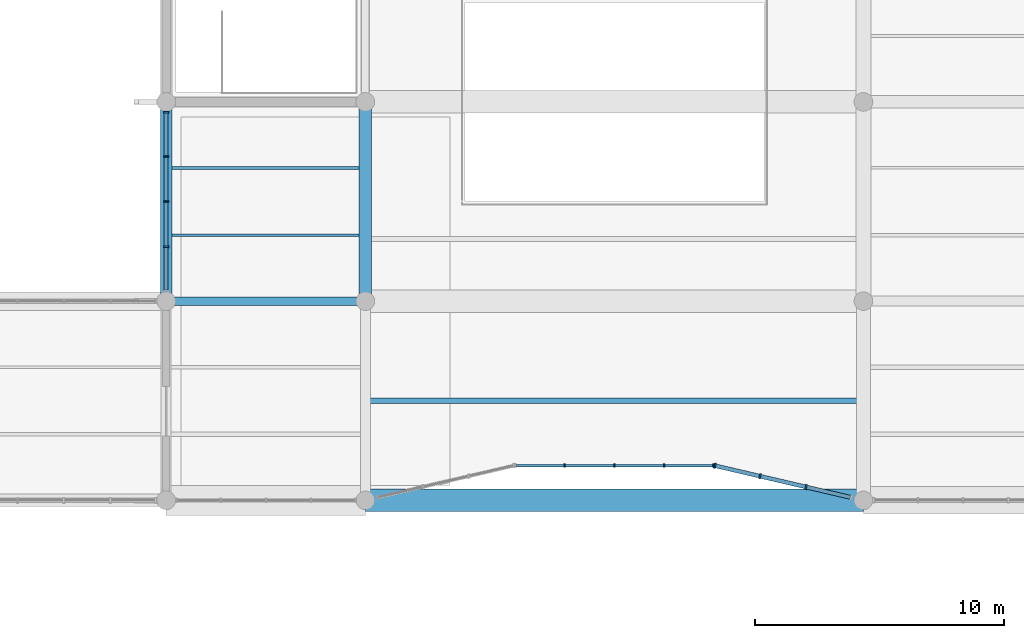
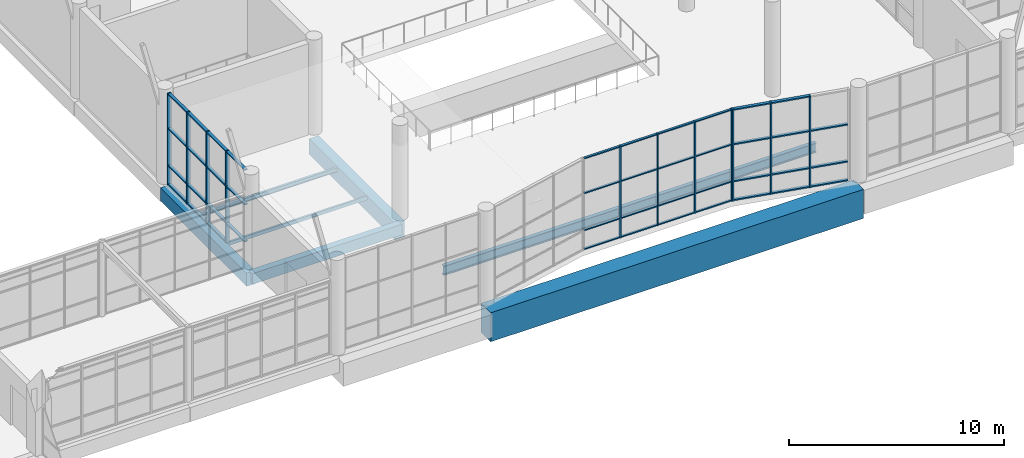
# One storey, part 24 of 122: 53 members, 7 beams, 3 elements without a shape of their own.
"""IFC4 building model written with IfcOpenShell, lengths in metres."""

from ifc_helpers import new_model, si_unit, direction, frame, origin, origin_2d, place, context, subcontext, project, spatial, rectangle, hollow_rectangle, i_section, extrude, material, material_profile, profile_set, type_object, element, aggregate, save


model = new_model("IFC4")

# Units and contexts
model_context = context("Model", 3, precision=1e-05, world=origin(), true_north=direction((0.0, 1.0)))
body_context = subcontext(model_context, "Body", "Model", "MODEL_VIEW")
ifc_project = project(units=[si_unit("LENGTHUNIT", "METRE"), si_unit("AREAUNIT", "SQUARE_METRE"), si_unit("VOLUMEUNIT", "CUBIC_METRE"), si_unit("PLANEANGLEUNIT", "RADIAN"), si_unit("MASSUNIT", "GRAM", prefix="KILO")], contexts=[model_context])

# Site, building, storey
site_placement = place(None, origin())
site = spatial("IfcSite", under=ifc_project, at=site_placement, CompositionType="ELEMENT")
building_placement = place(site_placement, origin())
building = spatial("IfcBuilding", under=site, at=building_placement, Name="Tenunan Teduh Sports Hall", CompositionType="ELEMENT")
storey_placement = place(building_placement, frame((0.0, 0.0, 5.39990234375)))
storey = spatial("IfcBuildingStorey", under=building, at=storey_placement, Name="L01", CompositionType="ELEMENT", Elevation=5.39990234375)

# Beams
ifc_material_1 = material(Name="Concrete C40/50", Category="concrete")
ifc_material_profile_1 = material_profile(ifc_material_1, rectangle(XDim=0.35009765625, YDim=0.60009765625, at=origin_2d()), Name="RCB 350x600")
ifc_profile_set_1 = profile_set([ifc_material_profile_1], Name="Concrete C40/50")
beam_type_1 = type_object("IfcBeamType", Name="BM-RC-350x600", PredefinedType="BEAM", material=ifc_profile_set_1)
beam_1_placement = place(storey_placement, frame((70.0, 46.0, -0.659912109375), z_axis=(1.0, 0.0, 0.0), x_axis=(0.0, 1.0, 0.0)))
element("IfcBeam", 1, at=beam_1_placement, inside=storey, type_object=beam_type_1, Name="BM-B-04-L01-1078", PredefinedType="BEAM", context=body_context, shape_type="SweptSolid", body=[
    extrude(rectangle(XDim=0.35009765625, YDim=0.60009765625, at=origin_2d()), origin(), (0.0, 0.0, 1.0), 8.0),
])
ifc_material_2 = material(Name="Concrete C40/50", Category="concrete")
ifc_material_profile_2 = material_profile(ifc_material_2, rectangle(XDim=0.449951171875, YDim=0.75, at=origin_2d()), Name="RCB 450x750")
ifc_profile_set_2 = profile_set([ifc_material_profile_2], Name="Concrete C40/50")
beam_type_2 = type_object("IfcBeamType", Name="BM-RC-450x750", PredefinedType="BEAM", material=ifc_profile_set_2)
beam_2_placement = place(storey_placement, frame((70.0, 46.0, -0.73486328125), z_axis=(0.0, 1.0, 0.0), x_axis=(-1.0, 0.0, 0.0)))
element("IfcBeam", 2, at=beam_2_placement, inside=storey, type_object=beam_type_2, Name="BM-B-11-L01-1232", PredefinedType="BEAM", context=body_context, shape_type="SweptSolid", body=[
    extrude(rectangle(XDim=0.449951171875, YDim=0.75, at=origin_2d()), origin(), (0.0, 0.0, 1.0), 8.0),
])
ifc_material_3 = material(Name="Concrete C40/50", Category="concrete")
ifc_material_profile_3 = material_profile(ifc_material_3, rectangle(XDim=0.5, YDim=0.89990234375, at=origin_2d()), Name="RCB 500x900")
ifc_profile_set_3 = profile_set([ifc_material_profile_3], Name="Concrete C40/50")
beam_type_3 = type_object("IfcBeamType", Name="BM-RC-500x900", PredefinedType="BEAM", material=ifc_profile_set_3)
beam_3_placement = place(storey_placement, frame((78.0, 46.0, -0.809814453125), z_axis=(0.0, 1.0, 0.0), x_axis=(-1.0, 0.0, 0.0)))
element("IfcBeam", 3, at=beam_3_placement, inside=storey, type_object=beam_type_3, Name="BM-B-15-L01-1240", PredefinedType="BEAM", context=body_context, shape_type="SweptSolid", body=[
    extrude(rectangle(XDim=0.5, YDim=0.89990234375, at=origin_2d()), origin(), (0.0, 0.0, 1.0), 8.0),
])

# Curtain wall, members
ifc_material_4 = material(Name="Anodised aluminium", Category="aluminium")
curtain_wall_type_1 = type_object("IfcCurtainWallType", Name="CW-FOYER-1", PredefinedType="NOTDEFINED", material=ifc_material_4)
curtain_wall_1_placement = place(storey_placement, origin())
curtain_wall_1 = element("IfcCurtainWall", 4, at=curtain_wall_1_placement, inside=storey, type_object=curtain_wall_type_1, Name="CW-CWM-150-L01-167", PredefinedType="NOTDEFINED")
ifc_material_5 = material(Name="Anodised aluminium", Category="aluminium")
ifc_material_profile_4 = material_profile(ifc_material_5, rectangle(XDim=0.06005859375, YDim=0.14990234375, at=origin_2d()), Name="CWM 60x150")
ifc_profile_set_4 = profile_set([ifc_material_profile_4], Name="Anodised aluminium")
member_type_1 = type_object("IfcMemberType", Name="CWM-150", PredefinedType="MULLION", material=ifc_profile_set_4)
member_1_placement = place(storey_placement, frame((86.0, 39.39990234375, 0.0), z_axis=(0.0, 0.0, 1.0), x_axis=(1.0, 0.0, 0.0)))
member_1 = element("IfcMember", 5, at=member_1_placement, type_object=member_type_1, Name="CW-04 mullion 2", PredefinedType="MULLION", context=body_context, shape_type="SweptSolid", body=[
    extrude(rectangle(XDim=0.06005859375, YDim=0.14990234375, at=origin_2d()), origin(), (0.0, 0.0, 1.0), 5.2001953125),
])
member_2_placement = place(storey_placement, frame((88.0, 39.39990234375, 0.0), z_axis=(0.0, 0.0, 1.0), x_axis=(1.0, 0.0, 0.0)))
member_2 = element("IfcMember", 6, at=member_2_placement, type_object=member_type_1, Name="CW-04 mullion 3", PredefinedType="MULLION", context=body_context, shape_type="SweptSolid", body=[
    extrude(rectangle(XDim=0.06005859375, YDim=0.14990234375, at=origin_2d()), origin(), (0.0, 0.0, 1.0), 5.2001953125),
])
member_3_placement = place(storey_placement, frame((90.0, 39.39990234375, 0.0), z_axis=(0.0, 0.0, 1.0), x_axis=(1.0, 0.0, 0.0)))
member_3 = element("IfcMember", 7, at=member_3_placement, type_object=member_type_1, Name="CW-04 mullion 4", PredefinedType="MULLION", context=body_context, shape_type="SweptSolid", body=[
    extrude(rectangle(XDim=0.06005859375, YDim=0.14990234375, at=origin_2d()), origin(), (0.0, 0.0, 1.0), 5.2001953125),
])
member_4_placement = place(storey_placement, frame((91.969970703125, 39.39990234375, 0.0), z_axis=(0.0, 0.0, 1.0), x_axis=(1.0, 0.0, 0.0)))
member_4 = element("IfcMember", 8, at=member_4_placement, type_object=member_type_1, Name="CW-04 mullion 5", PredefinedType="MULLION", context=body_context, shape_type="SweptSolid", body=[
    extrude(rectangle(XDim=0.06005859375, YDim=0.14990234375, at=origin_2d()), origin(), (0.0, 0.0, 1.0), 5.2001953125),
])

curtain_wall_2_placement = place(storey_placement, origin())
curtain_wall_2 = element("IfcCurtainWall", 9, at=curtain_wall_2_placement, inside=storey, type_object=curtain_wall_type_1, Name="CW-CWM-200-L01-168", PredefinedType="NOTDEFINED")
ifc_material_6 = material(Name="Anodised aluminium", Category="aluminium")
ifc_material_profile_5 = material_profile(ifc_material_6, rectangle(XDim=0.070068359375, YDim=0.199951171875, at=origin_2d()), Name="CWM 70x200")
ifc_profile_set_5 = profile_set([ifc_material_profile_5], Name="Anodised aluminium")
member_type_2 = type_object("IfcMemberType", Name="CWM-200", PredefinedType="MULLION", material=ifc_profile_set_5)
member_5_placement = place(storey_placement, frame((92.0341796875, 39.39208984375, 0.0), z_axis=(0.0, 0.0, 1.0), x_axis=(-0.973842091381, 0.227225837122, 0.0)))
member_5 = element("IfcMember", 10, at=member_5_placement, type_object=member_type_2, Name="CW-04 mullion 1", PredefinedType="MULLION", context=body_context, shape_type="SweptSolid", body=[
    extrude(rectangle(XDim=0.070068359375, YDim=0.199951171875, at=origin_2d()), origin(), (0.0, 0.0, 1.0), 5.2001953125),
])
member_6_placement = place(storey_placement, frame((93.846435546875, 38.96923828125, 0.0), z_axis=(0.0, 0.0, 1.0), x_axis=(-0.973842091381, 0.227225837122, 0.0)))
member_6 = element("IfcMember", 11, at=member_6_placement, type_object=member_type_2, Name="CW-04 mullion 2", PredefinedType="MULLION", context=body_context, shape_type="SweptSolid", body=[
    extrude(rectangle(XDim=0.070068359375, YDim=0.199951171875, at=origin_2d()), origin(), (0.0, 0.0, 1.0), 5.2001953125),
])
member_7_placement = place(storey_placement, frame((95.69287109375, 38.538330078125, 0.0), z_axis=(0.0, 0.0, 1.0), x_axis=(-0.973842091381, 0.227225837122, 0.0)))
member_7 = element("IfcMember", 12, at=member_7_placement, type_object=member_type_2, Name="CW-04 mullion 3", PredefinedType="MULLION", context=body_context, shape_type="SweptSolid", body=[
    extrude(rectangle(XDim=0.070068359375, YDim=0.199951171875, at=origin_2d()), origin(), (0.0, 0.0, 1.0), 5.2001953125),
])

ifc_material_7 = material(Name="Anodised aluminium", Category="aluminium")
curtain_wall_type_2 = type_object("IfcCurtainWallType", Name="CW-UNIT-1", PredefinedType="NOTDEFINED", material=ifc_material_7)
curtain_wall_3_placement = place(storey_placement, origin())
curtain_wall_3 = element("IfcCurtainWall", 13, at=curtain_wall_3_placement, inside=storey, type_object=curtain_wall_type_2, Name="CW-CWM-200-L01-172", PredefinedType="NOTDEFINED")
member_8_placement = place(storey_placement, frame((70.0, 48.1875, 0.0), z_axis=(0.0, 0.0, 1.0), x_axis=(0.0, 1.0, 0.0)))
member_8 = element("IfcMember", 14, at=member_8_placement, type_object=member_type_2, Name="CW-01 mullion 2", PredefinedType="MULLION", context=body_context, shape_type="SweptSolid", body=[
    extrude(rectangle(XDim=0.070068359375, YDim=0.199951171875, at=origin_2d()), origin(), (0.0, 0.0, 1.0), 5.2001953125),
])
member_9_placement = place(storey_placement, frame((70.0, 50.0, 0.0), z_axis=(0.0, 0.0, 1.0), x_axis=(0.0, 1.0, 0.0)))
member_9 = element("IfcMember", 15, at=member_9_placement, type_object=member_type_2, Name="CW-01 mullion 3", PredefinedType="MULLION", context=body_context, shape_type="SweptSolid", body=[
    extrude(rectangle(XDim=0.070068359375, YDim=0.199951171875, at=origin_2d()), origin(), (0.0, 0.0, 1.0), 5.2001953125),
])
member_10_placement = place(storey_placement, frame((70.0, 51.8125, 0.0), z_axis=(0.0, 0.0, 1.0), x_axis=(0.0, 1.0, 0.0)))
member_10 = element("IfcMember", 16, at=member_10_placement, type_object=member_type_2, Name="CW-01 mullion 4", PredefinedType="MULLION", context=body_context, shape_type="SweptSolid", body=[
    extrude(rectangle(XDim=0.070068359375, YDim=0.199951171875, at=origin_2d()), origin(), (0.0, 0.0, 1.0), 5.2001953125),
])
member_11_placement = place(storey_placement, frame((70.0, 53.590087890625, 0.0), z_axis=(0.0, 0.0, 1.0), x_axis=(0.0, 1.0, 0.0)))
member_11 = element("IfcMember", 17, at=member_11_placement, type_object=member_type_2, Name="CW-01 mullion 5", PredefinedType="MULLION", context=body_context, shape_type="SweptSolid", body=[
    extrude(rectangle(XDim=0.070068359375, YDim=0.199951171875, at=origin_2d()), origin(), (0.0, 0.0, 1.0), 5.2001953125),
])

# Member
ifc_material_8 = material(Name="Anodised aluminium", Category="aluminium")
ifc_material_profile_6 = material_profile(ifc_material_8, rectangle(XDim=0.06005859375, YDim=0.1201171875, at=origin_2d()), Name="CWT 60x120")
ifc_profile_set_6 = profile_set([ifc_material_profile_6], Name="Anodised aluminium")
member_type_3 = type_object("IfcMemberType", Name="CWT-125", PredefinedType="USERDEFINED", material=ifc_profile_set_6)
member_12_placement = place(storey_placement, frame((84.06005859375, 39.39990234375, 0.030029296875), z_axis=(1.0, 0.0, 0.0), x_axis=(0.0, 0.0, 1.0)))
member_12 = element("IfcMember", 18, at=member_12_placement, type_object=member_type_3, Name="CW-04 transom 1.1", ObjectType="TRANSOM", PredefinedType="USERDEFINED", context=body_context, shape_type="SweptSolid", body=[
    extrude(rectangle(XDim=0.06005859375, YDim=0.1201171875, at=origin_2d()), origin(), (0.0, 0.0, 1.0), 1.909912109375),
])

member_13_placement = place(storey_placement, frame((84.06005859375, 39.39990234375, 1.10009765625), z_axis=(1.0, 0.0, 0.0), x_axis=(0.0, 0.0, 1.0)))
member_13 = element("IfcMember", 19, at=member_13_placement, type_object=member_type_3, Name="CW-04 transom 1.2", ObjectType="TRANSOM", PredefinedType="USERDEFINED", context=body_context, shape_type="SweptSolid", body=[
    extrude(rectangle(XDim=0.06005859375, YDim=0.1201171875, at=origin_2d()), origin(), (0.0, 0.0, 1.0), 1.909912109375),
])

member_14_placement = place(storey_placement, frame((84.06005859375, 39.39990234375, 3.2001953125), z_axis=(1.0, 0.0, 0.0), x_axis=(0.0, 0.0, 1.0)))
member_14 = element("IfcMember", 20, at=member_14_placement, type_object=member_type_3, Name="CW-04 transom 1.3", ObjectType="TRANSOM", PredefinedType="USERDEFINED", context=body_context, shape_type="SweptSolid", body=[
    extrude(rectangle(XDim=0.06005859375, YDim=0.1201171875, at=origin_2d()), origin(), (0.0, 0.0, 1.0), 1.909912109375),
])

member_15_placement = place(storey_placement, frame((84.06005859375, 39.39990234375, 5.170166015625), z_axis=(1.0, 0.0, 0.0), x_axis=(0.0, 0.0, 1.0)))
member_15 = element("IfcMember", 21, at=member_15_placement, type_object=member_type_3, Name="CW-04 transom 1.4", ObjectType="TRANSOM", PredefinedType="USERDEFINED", context=body_context, shape_type="SweptSolid", body=[
    extrude(rectangle(XDim=0.06005859375, YDim=0.1201171875, at=origin_2d()), origin(), (0.0, 0.0, 1.0), 1.909912109375),
])

member_16_placement = place(storey_placement, frame((86.030029296875, 39.39990234375, 0.030029296875), z_axis=(1.0, 0.0, 0.0), x_axis=(0.0, 0.0, 1.0)))
member_16 = element("IfcMember", 22, at=member_16_placement, type_object=member_type_3, Name="CW-04 transom 2.1", ObjectType="TRANSOM", PredefinedType="USERDEFINED", context=body_context, shape_type="SweptSolid", body=[
    extrude(rectangle(XDim=0.06005859375, YDim=0.1201171875, at=origin_2d()), origin(), (0.0, 0.0, 1.0), 1.93994140625),
])

member_17_placement = place(storey_placement, frame((86.030029296875, 39.39990234375, 1.10009765625), z_axis=(1.0, 0.0, 0.0), x_axis=(0.0, 0.0, 1.0)))
member_17 = element("IfcMember", 23, at=member_17_placement, type_object=member_type_3, Name="CW-04 transom 2.2", ObjectType="TRANSOM", PredefinedType="USERDEFINED", context=body_context, shape_type="SweptSolid", body=[
    extrude(rectangle(XDim=0.06005859375, YDim=0.1201171875, at=origin_2d()), origin(), (0.0, 0.0, 1.0), 1.93994140625),
])

member_18_placement = place(storey_placement, frame((86.030029296875, 39.39990234375, 3.2001953125), z_axis=(1.0, 0.0, 0.0), x_axis=(0.0, 0.0, 1.0)))
member_18 = element("IfcMember", 24, at=member_18_placement, type_object=member_type_3, Name="CW-04 transom 2.3", ObjectType="TRANSOM", PredefinedType="USERDEFINED", context=body_context, shape_type="SweptSolid", body=[
    extrude(rectangle(XDim=0.06005859375, YDim=0.1201171875, at=origin_2d()), origin(), (0.0, 0.0, 1.0), 1.93994140625),
])

member_19_placement = place(storey_placement, frame((86.030029296875, 39.39990234375, 5.170166015625), z_axis=(1.0, 0.0, 0.0), x_axis=(0.0, 0.0, 1.0)))
member_19 = element("IfcMember", 25, at=member_19_placement, type_object=member_type_3, Name="CW-04 transom 2.4", ObjectType="TRANSOM", PredefinedType="USERDEFINED", context=body_context, shape_type="SweptSolid", body=[
    extrude(rectangle(XDim=0.06005859375, YDim=0.1201171875, at=origin_2d()), origin(), (0.0, 0.0, 1.0), 1.93994140625),
])

member_20_placement = place(storey_placement, frame((88.030029296875, 39.39990234375, 0.030029296875), z_axis=(1.0, 0.0, 0.0), x_axis=(0.0, 0.0, 1.0)))
member_20 = element("IfcMember", 26, at=member_20_placement, type_object=member_type_3, Name="CW-04 transom 3.1", ObjectType="TRANSOM", PredefinedType="USERDEFINED", context=body_context, shape_type="SweptSolid", body=[
    extrude(rectangle(XDim=0.06005859375, YDim=0.1201171875, at=origin_2d()), origin(), (0.0, 0.0, 1.0), 1.93994140625),
])

member_21_placement = place(storey_placement, frame((88.030029296875, 39.39990234375, 1.10009765625), z_axis=(1.0, 0.0, 0.0), x_axis=(0.0, 0.0, 1.0)))
member_21 = element("IfcMember", 27, at=member_21_placement, type_object=member_type_3, Name="CW-04 transom 3.2", ObjectType="TRANSOM", PredefinedType="USERDEFINED", context=body_context, shape_type="SweptSolid", body=[
    extrude(rectangle(XDim=0.06005859375, YDim=0.1201171875, at=origin_2d()), origin(), (0.0, 0.0, 1.0), 1.93994140625),
])

member_22_placement = place(storey_placement, frame((88.030029296875, 39.39990234375, 3.2001953125), z_axis=(1.0, 0.0, 0.0), x_axis=(0.0, 0.0, 1.0)))
member_22 = element("IfcMember", 28, at=member_22_placement, type_object=member_type_3, Name="CW-04 transom 3.3", ObjectType="TRANSOM", PredefinedType="USERDEFINED", context=body_context, shape_type="SweptSolid", body=[
    extrude(rectangle(XDim=0.06005859375, YDim=0.1201171875, at=origin_2d()), origin(), (0.0, 0.0, 1.0), 1.93994140625),
])

member_23_placement = place(storey_placement, frame((88.030029296875, 39.39990234375, 5.170166015625), z_axis=(1.0, 0.0, 0.0), x_axis=(0.0, 0.0, 1.0)))
member_23 = element("IfcMember", 29, at=member_23_placement, type_object=member_type_3, Name="CW-04 transom 3.4", ObjectType="TRANSOM", PredefinedType="USERDEFINED", context=body_context, shape_type="SweptSolid", body=[
    extrude(rectangle(XDim=0.06005859375, YDim=0.1201171875, at=origin_2d()), origin(), (0.0, 0.0, 1.0), 1.93994140625),
])

member_24_placement = place(storey_placement, frame((90.030029296875, 39.39990234375, 0.030029296875), z_axis=(1.0, 0.0, 0.0), x_axis=(0.0, 0.0, 1.0)))
member_24 = element("IfcMember", 30, at=member_24_placement, type_object=member_type_3, Name="CW-04 transom 4.1", ObjectType="TRANSOM", PredefinedType="USERDEFINED", context=body_context, shape_type="SweptSolid", body=[
    extrude(rectangle(XDim=0.06005859375, YDim=0.1201171875, at=origin_2d()), origin(), (0.0, 0.0, 1.0), 1.909912109375),
])

member_25_placement = place(storey_placement, frame((90.030029296875, 39.39990234375, 1.10009765625), z_axis=(1.0, 0.0, 0.0), x_axis=(0.0, 0.0, 1.0)))
member_25 = element("IfcMember", 31, at=member_25_placement, type_object=member_type_3, Name="CW-04 transom 4.2", ObjectType="TRANSOM", PredefinedType="USERDEFINED", context=body_context, shape_type="SweptSolid", body=[
    extrude(rectangle(XDim=0.06005859375, YDim=0.1201171875, at=origin_2d()), origin(), (0.0, 0.0, 1.0), 1.909912109375),
])

member_26_placement = place(storey_placement, frame((90.030029296875, 39.39990234375, 3.2001953125), z_axis=(1.0, 0.0, 0.0), x_axis=(0.0, 0.0, 1.0)))
member_26 = element("IfcMember", 32, at=member_26_placement, type_object=member_type_3, Name="CW-04 transom 4.3", ObjectType="TRANSOM", PredefinedType="USERDEFINED", context=body_context, shape_type="SweptSolid", body=[
    extrude(rectangle(XDim=0.06005859375, YDim=0.1201171875, at=origin_2d()), origin(), (0.0, 0.0, 1.0), 1.909912109375),
])

member_27_placement = place(storey_placement, frame((90.030029296875, 39.39990234375, 5.170166015625), z_axis=(1.0, 0.0, 0.0), x_axis=(0.0, 0.0, 1.0)))
member_27 = element("IfcMember", 33, at=member_27_placement, type_object=member_type_3, Name="CW-04 transom 4.4", ObjectType="TRANSOM", PredefinedType="USERDEFINED", context=body_context, shape_type="SweptSolid", body=[
    extrude(rectangle(XDim=0.06005859375, YDim=0.1201171875, at=origin_2d()), origin(), (0.0, 0.0, 1.0), 1.909912109375),
])

aggregate(curtain_wall_1, [member_1, member_2, member_3, member_4, member_12, member_13, member_14, member_15, member_16, member_17, member_18, member_19, member_20, member_21, member_22, member_23, member_24, member_25, member_26, member_27])

ifc_material_9 = material(Name="Anodised aluminium", Category="aluminium")
ifc_material_profile_7 = material_profile(ifc_material_9, rectangle(XDim=0.070068359375, YDim=0.159912109375, at=origin_2d()), Name="CWT 70x160")
ifc_profile_set_7 = profile_set([ifc_material_profile_7], Name="Anodised aluminium")
member_type_4 = type_object("IfcMemberType", Name="CWT-200", PredefinedType="USERDEFINED", material=ifc_profile_set_7)
member_28_placement = place(storey_placement, frame((92.068115234375, 39.384033203125, 0.03515625), z_axis=(0.973846236285, -0.227208072202, 0.0), x_axis=(0.0, 0.0, 1.0)))
member_28 = element("IfcMember", 34, at=member_28_placement, type_object=member_type_4, Name="CW-04 transom 1.1", ObjectType="TRANSOM", PredefinedType="USERDEFINED", context=body_context, shape_type="SweptSolid", body=[
    extrude(rectangle(XDim=0.070068359375, YDim=0.159912109375, at=origin_2d()), origin(), (0.0, 0.0, 1.0), 1.791259765625),
])

member_29_placement = place(storey_placement, frame((92.068115234375, 39.384033203125, 1.10009765625), z_axis=(0.973846236285, -0.227208072202, 0.0), x_axis=(0.0, 0.0, 1.0)))
member_29 = element("IfcMember", 35, at=member_29_placement, type_object=member_type_4, Name="CW-04 transom 1.2", ObjectType="TRANSOM", PredefinedType="USERDEFINED", context=body_context, shape_type="SweptSolid", body=[
    extrude(rectangle(XDim=0.070068359375, YDim=0.159912109375, at=origin_2d()), origin(), (0.0, 0.0, 1.0), 1.791259765625),
])

member_30_placement = place(storey_placement, frame((92.068115234375, 39.384033203125, 3.2001953125), z_axis=(0.973846236285, -0.227208072202, 0.0), x_axis=(0.0, 0.0, 1.0)))
member_30 = element("IfcMember", 36, at=member_30_placement, type_object=member_type_4, Name="CW-04 transom 1.3", ObjectType="TRANSOM", PredefinedType="USERDEFINED", context=body_context, shape_type="SweptSolid", body=[
    extrude(rectangle(XDim=0.070068359375, YDim=0.159912109375, at=origin_2d()), origin(), (0.0, 0.0, 1.0), 1.791259765625),
])

member_31_placement = place(storey_placement, frame((92.068115234375, 39.384033203125, 5.1650390625), z_axis=(0.973846236285, -0.227208072202, 0.0), x_axis=(0.0, 0.0, 1.0)))
member_31 = element("IfcMember", 37, at=member_31_placement, type_object=member_type_4, Name="CW-04 transom 1.4", ObjectType="TRANSOM", PredefinedType="USERDEFINED", context=body_context, shape_type="SweptSolid", body=[
    extrude(rectangle(XDim=0.070068359375, YDim=0.159912109375, at=origin_2d()), origin(), (0.0, 0.0, 1.0), 1.791259765625),
])

member_32_placement = place(storey_placement, frame((93.880615234375, 38.961181640625, 0.03515625), z_axis=(0.973858958082, -0.227153537861, 0.0), x_axis=(0.0, 0.0, 1.0)))
member_32 = element("IfcMember", 38, at=member_32_placement, type_object=member_type_4, Name="CW-04 transom 2.1", ObjectType="TRANSOM", PredefinedType="USERDEFINED", context=body_context, shape_type="SweptSolid", body=[
    extrude(rectangle(XDim=0.070068359375, YDim=0.159912109375, at=origin_2d()), origin(), (0.0, 0.0, 1.0), 1.826171875),
])

member_33_placement = place(storey_placement, frame((93.880615234375, 38.961181640625, 1.10009765625), z_axis=(0.973858958082, -0.227153537861, 0.0), x_axis=(0.0, 0.0, 1.0)))
member_33 = element("IfcMember", 39, at=member_33_placement, type_object=member_type_4, Name="CW-04 transom 2.2", ObjectType="TRANSOM", PredefinedType="USERDEFINED", context=body_context, shape_type="SweptSolid", body=[
    extrude(rectangle(XDim=0.070068359375, YDim=0.159912109375, at=origin_2d()), origin(), (0.0, 0.0, 1.0), 1.826171875),
])

member_34_placement = place(storey_placement, frame((93.880615234375, 38.961181640625, 3.2001953125), z_axis=(0.973858958082, -0.227153537861, 0.0), x_axis=(0.0, 0.0, 1.0)))
member_34 = element("IfcMember", 40, at=member_34_placement, type_object=member_type_4, Name="CW-04 transom 2.3", ObjectType="TRANSOM", PredefinedType="USERDEFINED", context=body_context, shape_type="SweptSolid", body=[
    extrude(rectangle(XDim=0.070068359375, YDim=0.159912109375, at=origin_2d()), origin(), (0.0, 0.0, 1.0), 1.826171875),
])

member_35_placement = place(storey_placement, frame((93.880615234375, 38.961181640625, 5.1650390625), z_axis=(0.973858958082, -0.227153537861, 0.0), x_axis=(0.0, 0.0, 1.0)))
member_35 = element("IfcMember", 41, at=member_35_placement, type_object=member_type_4, Name="CW-04 transom 2.4", ObjectType="TRANSOM", PredefinedType="USERDEFINED", context=body_context, shape_type="SweptSolid", body=[
    extrude(rectangle(XDim=0.070068359375, YDim=0.159912109375, at=origin_2d()), origin(), (0.0, 0.0, 1.0), 1.826171875),
])

member_36_placement = place(storey_placement, frame((95.72705078125, 38.5302734375, 0.03515625), z_axis=(0.973839198724, -0.227238234081, 0.0), x_axis=(0.0, 0.0, 1.0)))
member_36 = element("IfcMember", 42, at=member_36_placement, type_object=member_type_4, Name="CW-04 transom 3.1", ObjectType="TRANSOM", PredefinedType="USERDEFINED", context=body_context, shape_type="SweptSolid", body=[
    extrude(rectangle(XDim=0.070068359375, YDim=0.159912109375, at=origin_2d()), origin(), (0.0, 0.0, 1.0), 1.791015625),
])

member_37_placement = place(storey_placement, frame((95.72705078125, 38.5302734375, 1.10009765625), z_axis=(0.973839198724, -0.227238234081, 0.0), x_axis=(0.0, 0.0, 1.0)))
member_37 = element("IfcMember", 43, at=member_37_placement, type_object=member_type_4, Name="CW-04 transom 3.2", ObjectType="TRANSOM", PredefinedType="USERDEFINED", context=body_context, shape_type="SweptSolid", body=[
    extrude(rectangle(XDim=0.070068359375, YDim=0.159912109375, at=origin_2d()), origin(), (0.0, 0.0, 1.0), 1.791015625),
])

member_38_placement = place(storey_placement, frame((95.72705078125, 38.5302734375, 3.2001953125), z_axis=(0.973839198724, -0.227238234081, 0.0), x_axis=(0.0, 0.0, 1.0)))
member_38 = element("IfcMember", 44, at=member_38_placement, type_object=member_type_4, Name="CW-04 transom 3.3", ObjectType="TRANSOM", PredefinedType="USERDEFINED", context=body_context, shape_type="SweptSolid", body=[
    extrude(rectangle(XDim=0.070068359375, YDim=0.159912109375, at=origin_2d()), origin(), (0.0, 0.0, 1.0), 1.791015625),
])

aggregate(curtain_wall_2, [member_5, member_6, member_7, member_28, member_29, member_30, member_31, member_32, member_33, member_34, member_35, member_36, member_37, member_38])

member_39_placement = place(storey_placement, frame((70.0, 46.445068359375, 1.10009765625), z_axis=(0.0, 1.0, 0.0), x_axis=(0.0, 0.0, 1.0)))
member_39 = element("IfcMember", 45, at=member_39_placement, type_object=member_type_4, Name="CW-01 transom 1.2", ObjectType="TRANSOM", PredefinedType="USERDEFINED", context=body_context, shape_type="SweptSolid", body=[
    extrude(rectangle(XDim=0.070068359375, YDim=0.159912109375, at=origin_2d()), origin(), (0.0, 0.0, 1.0), 1.70751953125),
])

member_40_placement = place(storey_placement, frame((70.0, 46.445068359375, 3.2001953125), z_axis=(0.0, 1.0, 0.0), x_axis=(0.0, 0.0, 1.0)))
member_40 = element("IfcMember", 46, at=member_40_placement, type_object=member_type_4, Name="CW-01 transom 1.3", ObjectType="TRANSOM", PredefinedType="USERDEFINED", context=body_context, shape_type="SweptSolid", body=[
    extrude(rectangle(XDim=0.070068359375, YDim=0.159912109375, at=origin_2d()), origin(), (0.0, 0.0, 1.0), 1.70751953125),
])

member_41_placement = place(storey_placement, frame((70.0, 46.445068359375, 5.1650390625), z_axis=(0.0, 1.0, 0.0), x_axis=(0.0, 0.0, 1.0)))
member_41 = element("IfcMember", 47, at=member_41_placement, type_object=member_type_4, Name="CW-01 transom 1.4", ObjectType="TRANSOM", PredefinedType="USERDEFINED", context=body_context, shape_type="SweptSolid", body=[
    extrude(rectangle(XDim=0.070068359375, YDim=0.159912109375, at=origin_2d()), origin(), (0.0, 0.0, 1.0), 1.70751953125),
])

member_42_placement = place(storey_placement, frame((70.0, 48.222412109375, 0.03515625), z_axis=(0.0, 1.0, 0.0), x_axis=(0.0, 0.0, 1.0)))
member_42 = element("IfcMember", 48, at=member_42_placement, type_object=member_type_4, Name="CW-01 transom 2.1", ObjectType="TRANSOM", PredefinedType="USERDEFINED", context=body_context, shape_type="SweptSolid", body=[
    extrude(rectangle(XDim=0.070068359375, YDim=0.159912109375, at=origin_2d()), origin(), (0.0, 0.0, 1.0), 1.74267578125),
])

member_43_placement = place(storey_placement, frame((70.0, 48.222412109375, 1.10009765625), z_axis=(0.0, 1.0, 0.0), x_axis=(0.0, 0.0, 1.0)))
member_43 = element("IfcMember", 49, at=member_43_placement, type_object=member_type_4, Name="CW-01 transom 2.2", ObjectType="TRANSOM", PredefinedType="USERDEFINED", context=body_context, shape_type="SweptSolid", body=[
    extrude(rectangle(XDim=0.070068359375, YDim=0.159912109375, at=origin_2d()), origin(), (0.0, 0.0, 1.0), 1.74267578125),
])

member_44_placement = place(storey_placement, frame((70.0, 48.222412109375, 3.2001953125), z_axis=(0.0, 1.0, 0.0), x_axis=(0.0, 0.0, 1.0)))
member_44 = element("IfcMember", 50, at=member_44_placement, type_object=member_type_4, Name="CW-01 transom 2.3", ObjectType="TRANSOM", PredefinedType="USERDEFINED", context=body_context, shape_type="SweptSolid", body=[
    extrude(rectangle(XDim=0.070068359375, YDim=0.159912109375, at=origin_2d()), origin(), (0.0, 0.0, 1.0), 1.74267578125),
])

member_45_placement = place(storey_placement, frame((70.0, 48.222412109375, 5.1650390625), z_axis=(0.0, 1.0, 0.0), x_axis=(0.0, 0.0, 1.0)))
member_45 = element("IfcMember", 51, at=member_45_placement, type_object=member_type_4, Name="CW-01 transom 2.4", ObjectType="TRANSOM", PredefinedType="USERDEFINED", context=body_context, shape_type="SweptSolid", body=[
    extrude(rectangle(XDim=0.070068359375, YDim=0.159912109375, at=origin_2d()), origin(), (0.0, 0.0, 1.0), 1.74267578125),
])

member_46_placement = place(storey_placement, frame((70.0, 50.034912109375, 0.03515625), z_axis=(0.0, 1.0, 0.0), x_axis=(0.0, 0.0, 1.0)))
member_46 = element("IfcMember", 52, at=member_46_placement, type_object=member_type_4, Name="CW-01 transom 3.1", ObjectType="TRANSOM", PredefinedType="USERDEFINED", context=body_context, shape_type="SweptSolid", body=[
    extrude(rectangle(XDim=0.070068359375, YDim=0.159912109375, at=origin_2d()), origin(), (0.0, 0.0, 1.0), 1.74267578125),
])

member_47_placement = place(storey_placement, frame((70.0, 50.034912109375, 1.10009765625), z_axis=(0.0, 1.0, 0.0), x_axis=(0.0, 0.0, 1.0)))
member_47 = element("IfcMember", 53, at=member_47_placement, type_object=member_type_4, Name="CW-01 transom 3.2", ObjectType="TRANSOM", PredefinedType="USERDEFINED", context=body_context, shape_type="SweptSolid", body=[
    extrude(rectangle(XDim=0.070068359375, YDim=0.159912109375, at=origin_2d()), origin(), (0.0, 0.0, 1.0), 1.74267578125),
])

member_48_placement = place(storey_placement, frame((70.0, 50.034912109375, 3.2001953125), z_axis=(0.0, 1.0, 0.0), x_axis=(0.0, 0.0, 1.0)))
member_48 = element("IfcMember", 54, at=member_48_placement, type_object=member_type_4, Name="CW-01 transom 3.3", ObjectType="TRANSOM", PredefinedType="USERDEFINED", context=body_context, shape_type="SweptSolid", body=[
    extrude(rectangle(XDim=0.070068359375, YDim=0.159912109375, at=origin_2d()), origin(), (0.0, 0.0, 1.0), 1.74267578125),
])

member_49_placement = place(storey_placement, frame((70.0, 50.034912109375, 5.1650390625), z_axis=(0.0, 1.0, 0.0), x_axis=(0.0, 0.0, 1.0)))
member_49 = element("IfcMember", 55, at=member_49_placement, type_object=member_type_4, Name="CW-01 transom 3.4", ObjectType="TRANSOM", PredefinedType="USERDEFINED", context=body_context, shape_type="SweptSolid", body=[
    extrude(rectangle(XDim=0.070068359375, YDim=0.159912109375, at=origin_2d()), origin(), (0.0, 0.0, 1.0), 1.74267578125),
])

member_50_placement = place(storey_placement, frame((70.0, 51.847412109375, 0.03515625), z_axis=(0.0, 1.0, 0.0), x_axis=(0.0, 0.0, 1.0)))
member_50 = element("IfcMember", 56, at=member_50_placement, type_object=member_type_4, Name="CW-01 transom 4.1", ObjectType="TRANSOM", PredefinedType="USERDEFINED", context=body_context, shape_type="SweptSolid", body=[
    extrude(rectangle(XDim=0.070068359375, YDim=0.159912109375, at=origin_2d()), origin(), (0.0, 0.0, 1.0), 1.70751953125),
])

member_51_placement = place(storey_placement, frame((70.0, 51.847412109375, 1.10009765625), z_axis=(0.0, 1.0, 0.0), x_axis=(0.0, 0.0, 1.0)))
member_51 = element("IfcMember", 57, at=member_51_placement, type_object=member_type_4, Name="CW-01 transom 4.2", ObjectType="TRANSOM", PredefinedType="USERDEFINED", context=body_context, shape_type="SweptSolid", body=[
    extrude(rectangle(XDim=0.070068359375, YDim=0.159912109375, at=origin_2d()), origin(), (0.0, 0.0, 1.0), 1.70751953125),
])

member_52_placement = place(storey_placement, frame((70.0, 51.847412109375, 3.2001953125), z_axis=(0.0, 1.0, 0.0), x_axis=(0.0, 0.0, 1.0)))
member_52 = element("IfcMember", 58, at=member_52_placement, type_object=member_type_4, Name="CW-01 transom 4.3", ObjectType="TRANSOM", PredefinedType="USERDEFINED", context=body_context, shape_type="SweptSolid", body=[
    extrude(rectangle(XDim=0.070068359375, YDim=0.159912109375, at=origin_2d()), origin(), (0.0, 0.0, 1.0), 1.70751953125),
])

member_53_placement = place(storey_placement, frame((70.0, 51.847412109375, 5.1650390625), z_axis=(0.0, 1.0, 0.0), x_axis=(0.0, 0.0, 1.0)))
member_53 = element("IfcMember", 59, at=member_53_placement, type_object=member_type_4, Name="CW-01 transom 4.4", ObjectType="TRANSOM", PredefinedType="USERDEFINED", context=body_context, shape_type="SweptSolid", body=[
    extrude(rectangle(XDim=0.070068359375, YDim=0.159912109375, at=origin_2d()), origin(), (0.0, 0.0, 1.0), 1.70751953125),
])

aggregate(curtain_wall_3, [member_8, member_9, member_10, member_11, member_39, member_40, member_41, member_42, member_43, member_44, member_45, member_46, member_47, member_48, member_49, member_50, member_51, member_52, member_53])

# Beams
ifc_material_10 = material(Name="Steel S355", Category="steel")
ifc_material_profile_8 = material_profile(ifc_material_10, i_section(OverallWidth=0.1201171875, OverallDepth=0.239990234375, WebThickness=0.006103515625, FlangeThickness=0.009765625, FilletRadius=0.014892578125, at=origin_2d()), Name="IPE 240")
ifc_profile_set_8 = profile_set([ifc_material_profile_8], Name="Steel S355")
beam_type_4 = type_object("IfcBeamType", Name="JST-IPE240", PredefinedType="JOIST", material=ifc_profile_set_8)
beam_4_placement = place(storey_placement, frame((70.22509765625, 51.35009765625, -0.47998046875), z_axis=(1.0, 0.0, 0.0), x_axis=(0.0, 1.0, 0.0)))
element("IfcBeam", 60, at=beam_4_placement, inside=storey, type_object=beam_type_4, Name="BM-J-02-L01-1375", PredefinedType="JOIST", context=body_context, shape_type="SweptSolid", body=[
    extrude(i_section(OverallWidth=0.1201171875, OverallDepth=0.239990234375, WebThickness=0.006103515625, FlangeThickness=0.009765625, FilletRadius=0.014892578125, at=origin_2d()), origin(), (0.0, 0.0, 1.0), 7.52490234375),
])
ifc_material_11 = material(Name="Post-tensioned concrete C50/60", Category="concrete")
ifc_material_profile_9 = material_profile(ifc_material_11, rectangle(XDim=0.89990234375, YDim=1.64990234375, at=origin_2d()), Name="PTG 900x1650")
ifc_profile_set_9 = profile_set([ifc_material_profile_9], Name="Post-tensioned concrete C50/60")
beam_type_5 = type_object("IfcBeamType", Name="PTG-900x1650", PredefinedType="USERDEFINED", material=ifc_profile_set_9)
beam_5_placement = place(storey_placement, frame((78.0, 38.0, -1.184814453125), z_axis=(1.0, 0.0, 0.0), x_axis=(0.0, 1.0, 0.0)))
element("IfcBeam", 61, at=beam_5_placement, inside=storey, type_object=beam_type_5, Name="Post-Tensioned Transfer Girder BM-PTG-04-L01-0032", ObjectType="TRANSFER GIRDER", PredefinedType="USERDEFINED", context=body_context, shape_type="SweptSolid", body=[
    extrude(rectangle(XDim=0.89990234375, YDim=1.64990234375, at=origin_2d()), origin(), (0.0, 0.0, 1.0), 20.0),
])
ifc_material_12 = material(Name="Steel S355", Category="steel")
ifc_material_profile_10 = material_profile(ifc_material_12, hollow_rectangle(XDim=0.10009765625, YDim=0.199951171875, WallThickness=0.008056640625, at=origin_2d()), Name="RHS 200x100x8.0")
ifc_profile_set_10 = profile_set([ifc_material_profile_10], Name="Steel S355")
beam_type_6 = type_object("IfcBeamType", Name="RBM-RHS200", PredefinedType="JOIST", material=ifc_profile_set_10)
beam_6_placement = place(storey_placement, frame((70.22509765625, 48.64990234375, -0.4599609375), z_axis=(1.0, 0.0, 0.0), x_axis=(0.0, 1.0, 0.0)))
element("IfcBeam", 62, at=beam_6_placement, inside=storey, type_object=beam_type_6, Name="Perimeter Ring Beam BM-RB-05-L01-1374", PredefinedType="JOIST", context=body_context, shape_type="SweptSolid", body=[
    extrude(hollow_rectangle(XDim=0.10009765625, YDim=0.199951171875, WallThickness=0.008056640625, at=origin_2d()), origin(), (0.0, 0.0, 1.0), 7.52490234375),
])
ifc_material_13 = material(Name="Steel S355", Category="steel")
ifc_material_profile_11 = material_profile(ifc_material_13, i_section(OverallWidth=0.2099609375, OverallDepth=0.53662109375, WebThickness=0.0107421875, FlangeThickness=0.017333984375, FilletRadius=0.0126953125, at=origin_2d()), Name="UKB 533x210x101")
ifc_profile_set_11 = profile_set([ifc_material_profile_11], Name="Steel S355")
beam_type_7 = type_object("IfcBeamType", Name="SBM-UKB533", PredefinedType="BEAM", material=ifc_profile_set_11)
beam_7_placement = place(storey_placement, frame((78.0, 42.0, -0.628173828125), z_axis=(1.0, 0.0, 0.0), x_axis=(0.0, 1.0, 0.0)))
element("IfcBeam", 63, at=beam_7_placement, inside=storey, type_object=beam_type_7, Name="BM-SB-05-L01-0037", PredefinedType="BEAM", context=body_context, shape_type="SweptSolid", body=[
    extrude(i_section(OverallWidth=0.2099609375, OverallDepth=0.53662109375, WebThickness=0.0107421875, FlangeThickness=0.017333984375, FilletRadius=0.0126953125, at=origin_2d()), origin(), (0.0, 0.0, 1.0), 20.0),
])

save(model, "model.ifc")
